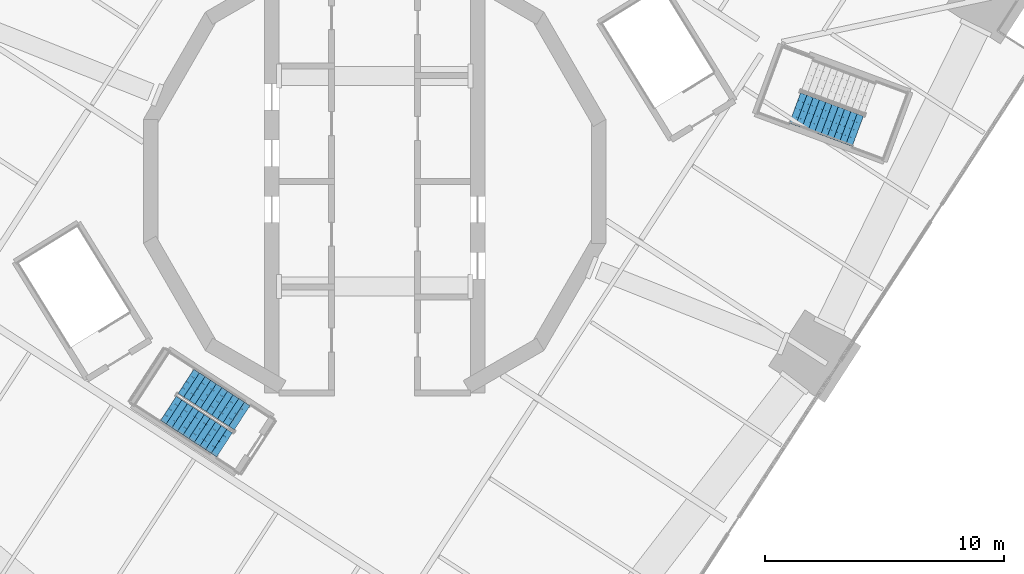
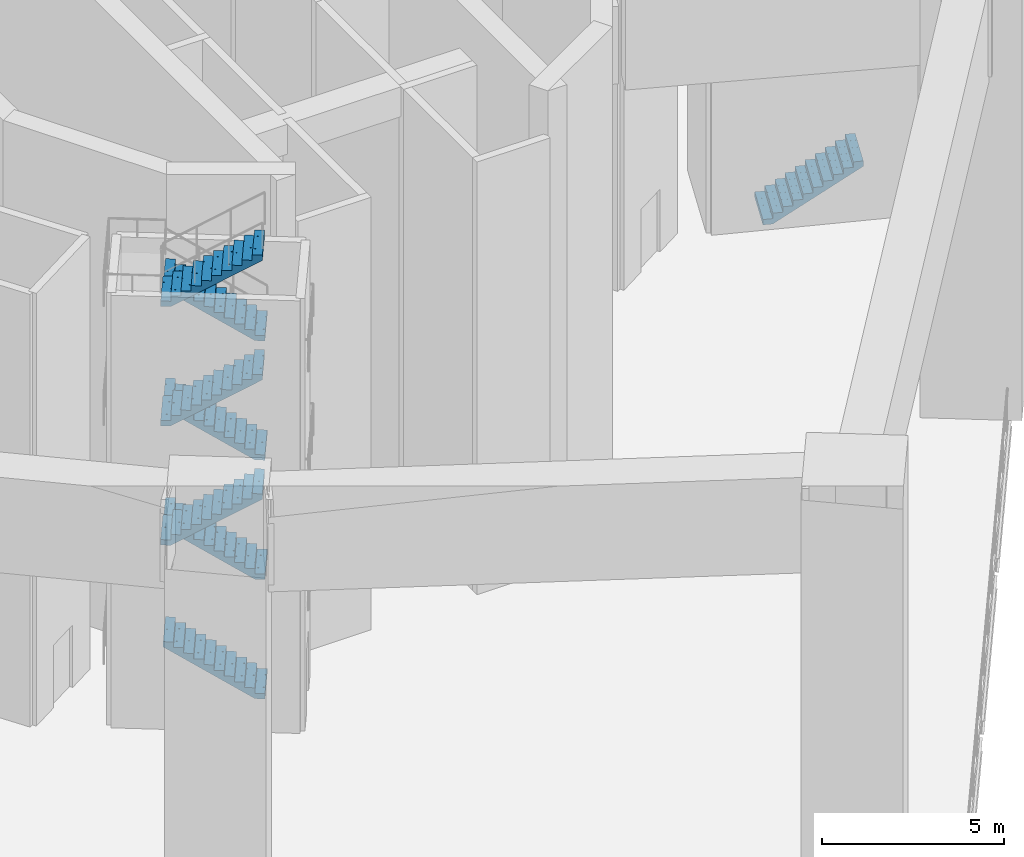
# One storey, part 6 of 16: 8 stair flights, 2 elements without a shape of their own.
"""IFC4 building model written with IfcOpenShell, lengths in metres."""

from ifc_helpers import new_model, si_unit, direction, frame, origin, place, context, subcontext, project, spatial, polyline, outline, extrude, material, type_object, element, aggregate, save


model = new_model("IFC4")

# Units and contexts
model_context = context("Model", 3, precision=1e-05, world=origin(), true_north=direction((0.0, 1.0)))
body_context = subcontext(model_context, "Body", "Model", "MODEL_VIEW")
ifc_project = project(units=[si_unit("LENGTHUNIT", "METRE"), si_unit("AREAUNIT", "SQUARE_METRE"), si_unit("VOLUMEUNIT", "CUBIC_METRE"), si_unit("PLANEANGLEUNIT", "RADIAN"), si_unit("MASSUNIT", "GRAM", prefix="KILO")], contexts=[model_context])

# Site, building, storey
site_placement = place(None, origin())
site = spatial("IfcSite", under=ifc_project, at=site_placement, CompositionType="ELEMENT")
building_placement = place(site_placement, origin())
building = spatial("IfcBuilding", under=site, at=building_placement, Name="Cantera Rosa Tower", CompositionType="ELEMENT")
storey_placement = place(building_placement, frame((0.0, 0.0, 290.10009765625)))
storey = spatial("IfcBuildingStorey", under=building, at=storey_placement, Name="L66", CompositionType="ELEMENT", Elevation=290.10009765625)

# Stair, stair flights
ifc_material_1 = material(Name="Concrete C35/45", Category="concrete")
stair_type_1 = type_object("IfcStairType", Name="EXIT STAIR 1200 DOGLEG", PredefinedType="HALF_TURN_STAIR", material=ifc_material_1)
stair_1_placement = place(storey_placement, origin())
stair_1 = element("IfcStair", 1, at=stair_1_placement, inside=storey, type_object=stair_type_1, Name="L66 ST-64", PredefinedType="HALF_TURN_STAIR")
ifc_material_2 = material(Name="Concrete C35/45", Category="concrete")
stair_flight_type_1 = type_object("IfcStairFlightType", Name="STAIR FLIGHT 1200 R88x182", PredefinedType="STRAIGHT", material=ifc_material_2)
stair_flight_1_placement = place(storey_placement, frame((-5.532470703125, -9.878173828125, 0.0), z_axis=(0.0, 0.0, 1.0), x_axis=(-0.838670567945, 0.544639035015, 0.0)))
stair_flight_1 = element("IfcStairFlight", 2, at=stair_flight_1_placement, type_object=stair_flight_type_1, Name="ST-64 flight 1", NumberOfRisers=11, NumberOfTreads=10, PredefinedType="STRAIGHT", RiserHeight=0.181818182, TreadLength=0.28, context=body_context, shape_type="SweptSolid", body=[
    extrude(outline(polyline([(0.0, 0.0), (0.0, 0.181884765625), (0.280029296875, 0.181884765625), (0.280029296875, 0.363525390625), (0.56005859375, 0.363525390625), (0.56005859375, 0.54541015625), (0.840087890625, 0.54541015625), (0.840087890625, 0.727294921875), (1.1201171875, 0.727294921875), (1.1201171875, 0.9091796875), (1.39990234375, 0.9091796875), (1.39990234375, 1.0908203125), (1.679931640625, 1.0908203125), (1.679931640625, 1.272705078125), (1.9599609375, 1.272705078125), (1.9599609375, 1.45458984375), (2.239990234375, 1.45458984375), (2.239990234375, 1.636474609375), (2.52001953125, 1.636474609375), (2.52001953125, 1.818115234375), (2.800048828125, 1.818115234375), (2.800048828125, 2.0), (2.800048828125, 1.639404296875), (0.275146484375, 0.0), (0.0, 0.0)])), frame((0.0, 0.60009765625, 0.0), z_axis=(0.0, -1.0, 0.0), x_axis=(1.0, 0.0, 0.0)), (0.0, 0.0, 1.0), 0.298583984375),
    extrude(outline(polyline([(0.0, 0.0), (0.0, 0.181884765625), (0.280029296875, 0.181884765625), (0.280029296875, 0.363525390625), (0.56005859375, 0.363525390625), (0.56005859375, 0.54541015625), (0.840087890625, 0.54541015625), (0.840087890625, 0.727294921875), (1.1201171875, 0.727294921875), (1.1201171875, 0.9091796875), (1.39990234375, 0.9091796875), (1.39990234375, 1.0908203125), (1.679931640625, 1.0908203125), (1.679931640625, 1.272705078125), (1.9599609375, 1.272705078125), (1.9599609375, 1.45458984375), (2.239990234375, 1.45458984375), (2.239990234375, 1.636474609375), (2.52001953125, 1.636474609375), (2.52001953125, 1.818115234375), (2.800048828125, 1.818115234375), (2.800048828125, 2.0), (2.800048828125, 1.639404296875), (0.275146484375, 0.0), (0.0, 0.0)])), frame((0.0, 0.29931640625, 0.0), z_axis=(0.0, -1.0, 0.0), x_axis=(1.0, 0.0, 0.0)), (0.0, 0.0, 1.0), 0.298583984375),
    extrude(outline(polyline([(0.0, 0.0), (0.0, 0.181884765625), (0.280029296875, 0.181884765625), (0.280029296875, 0.363525390625), (0.56005859375, 0.363525390625), (0.56005859375, 0.54541015625), (0.840087890625, 0.54541015625), (0.840087890625, 0.727294921875), (1.1201171875, 0.727294921875), (1.1201171875, 0.9091796875), (1.39990234375, 0.9091796875), (1.39990234375, 1.0908203125), (1.679931640625, 1.0908203125), (1.679931640625, 1.272705078125), (1.9599609375, 1.272705078125), (1.9599609375, 1.45458984375), (2.239990234375, 1.45458984375), (2.239990234375, 1.636474609375), (2.52001953125, 1.636474609375), (2.52001953125, 1.818115234375), (2.800048828125, 1.818115234375), (2.800048828125, 2.0), (2.800048828125, 1.639404296875), (0.275146484375, 0.0), (0.0, 0.0)])), frame((0.0, -0.0009765625, 0.0), z_axis=(0.0, -1.0, 0.0), x_axis=(1.0, 0.0, 0.0)), (0.0, 0.0, 1.0), 0.298583984375),
    extrude(outline(polyline([(0.0, 0.0), (0.0, 0.181884765625), (0.280029296875, 0.181884765625), (0.280029296875, 0.363525390625), (0.56005859375, 0.363525390625), (0.56005859375, 0.54541015625), (0.840087890625, 0.54541015625), (0.840087890625, 0.727294921875), (1.1201171875, 0.727294921875), (1.1201171875, 0.9091796875), (1.39990234375, 0.9091796875), (1.39990234375, 1.0908203125), (1.679931640625, 1.0908203125), (1.679931640625, 1.272705078125), (1.9599609375, 1.272705078125), (1.9599609375, 1.45458984375), (2.239990234375, 1.45458984375), (2.239990234375, 1.636474609375), (2.52001953125, 1.636474609375), (2.52001953125, 1.818115234375), (2.800048828125, 1.818115234375), (2.800048828125, 2.0), (2.800048828125, 1.639404296875), (0.275146484375, 0.0), (0.0, 0.0)])), frame((0.0, -0.3017578125, 0.0), z_axis=(0.0, -1.0, 0.0), x_axis=(1.0, 0.0, 0.0)), (0.0, 0.0, 1.0), 0.298583984375),
])
stair_flight_2_placement = place(storey_placement, frame((-5.532470703125, -9.878173828125, 4.0), z_axis=(0.0, 0.0, 1.0), x_axis=(-0.838670567945, 0.544639035015, 0.0)))
stair_flight_2 = element("IfcStairFlight", 3, at=stair_flight_2_placement, type_object=stair_flight_type_1, Name="ST-64 flight 3", NumberOfRisers=11, NumberOfTreads=10, PredefinedType="STRAIGHT", RiserHeight=0.181818182, TreadLength=0.28, context=body_context, shape_type="SweptSolid", body=[
    extrude(outline(polyline([(0.0, 0.0), (0.0, 0.181884765625), (0.280029296875, 0.181884765625), (0.280029296875, 0.363525390625), (0.56005859375, 0.363525390625), (0.56005859375, 0.54541015625), (0.840087890625, 0.54541015625), (0.840087890625, 0.727294921875), (1.1201171875, 0.727294921875), (1.1201171875, 0.9091796875), (1.39990234375, 0.9091796875), (1.39990234375, 1.0908203125), (1.679931640625, 1.0908203125), (1.679931640625, 1.272705078125), (1.9599609375, 1.272705078125), (1.9599609375, 1.45458984375), (2.239990234375, 1.45458984375), (2.239990234375, 1.636474609375), (2.52001953125, 1.636474609375), (2.52001953125, 1.818115234375), (2.800048828125, 1.818115234375), (2.800048828125, 2.0), (2.800048828125, 1.639404296875), (0.275146484375, 0.0), (0.0, 0.0)])), frame((0.0, 0.60009765625, 0.0), z_axis=(0.0, -1.0, 0.0), x_axis=(1.0, 0.0, 0.0)), (0.0, 0.0, 1.0), 0.298583984375),
    extrude(outline(polyline([(0.0, 0.0), (0.0, 0.181884765625), (0.280029296875, 0.181884765625), (0.280029296875, 0.363525390625), (0.56005859375, 0.363525390625), (0.56005859375, 0.54541015625), (0.840087890625, 0.54541015625), (0.840087890625, 0.727294921875), (1.1201171875, 0.727294921875), (1.1201171875, 0.9091796875), (1.39990234375, 0.9091796875), (1.39990234375, 1.0908203125), (1.679931640625, 1.0908203125), (1.679931640625, 1.272705078125), (1.9599609375, 1.272705078125), (1.9599609375, 1.45458984375), (2.239990234375, 1.45458984375), (2.239990234375, 1.636474609375), (2.52001953125, 1.636474609375), (2.52001953125, 1.818115234375), (2.800048828125, 1.818115234375), (2.800048828125, 2.0), (2.800048828125, 1.639404296875), (0.275146484375, 0.0), (0.0, 0.0)])), frame((0.0, 0.29931640625, 0.0), z_axis=(0.0, -1.0, 0.0), x_axis=(1.0, 0.0, 0.0)), (0.0, 0.0, 1.0), 0.298583984375),
    extrude(outline(polyline([(0.0, 0.0), (0.0, 0.181884765625), (0.280029296875, 0.181884765625), (0.280029296875, 0.363525390625), (0.56005859375, 0.363525390625), (0.56005859375, 0.54541015625), (0.840087890625, 0.54541015625), (0.840087890625, 0.727294921875), (1.1201171875, 0.727294921875), (1.1201171875, 0.9091796875), (1.39990234375, 0.9091796875), (1.39990234375, 1.0908203125), (1.679931640625, 1.0908203125), (1.679931640625, 1.272705078125), (1.9599609375, 1.272705078125), (1.9599609375, 1.45458984375), (2.239990234375, 1.45458984375), (2.239990234375, 1.636474609375), (2.52001953125, 1.636474609375), (2.52001953125, 1.818115234375), (2.800048828125, 1.818115234375), (2.800048828125, 2.0), (2.800048828125, 1.639404296875), (0.275146484375, 0.0), (0.0, 0.0)])), frame((0.0, -0.0009765625, 0.0), z_axis=(0.0, -1.0, 0.0), x_axis=(1.0, 0.0, 0.0)), (0.0, 0.0, 1.0), 0.298583984375),
    extrude(outline(polyline([(0.0, 0.0), (0.0, 0.181884765625), (0.280029296875, 0.181884765625), (0.280029296875, 0.363525390625), (0.56005859375, 0.363525390625), (0.56005859375, 0.54541015625), (0.840087890625, 0.54541015625), (0.840087890625, 0.727294921875), (1.1201171875, 0.727294921875), (1.1201171875, 0.9091796875), (1.39990234375, 0.9091796875), (1.39990234375, 1.0908203125), (1.679931640625, 1.0908203125), (1.679931640625, 1.272705078125), (1.9599609375, 1.272705078125), (1.9599609375, 1.45458984375), (2.239990234375, 1.45458984375), (2.239990234375, 1.636474609375), (2.52001953125, 1.636474609375), (2.52001953125, 1.818115234375), (2.800048828125, 1.818115234375), (2.800048828125, 2.0), (2.800048828125, 1.639404296875), (0.275146484375, 0.0), (0.0, 0.0)])), frame((0.0, -0.3017578125, 0.0), z_axis=(0.0, -1.0, 0.0), x_axis=(1.0, 0.0, 0.0)), (0.0, 0.0, 1.0), 0.298583984375),
])
stair_flight_3_placement = place(storey_placement, frame((-8.615966796875, -9.4853515625, 6.0), z_axis=(0.0, 0.0, 1.0), x_axis=(0.838670567945, -0.544639035015, 0.0)))
stair_flight_3 = element("IfcStairFlight", 4, at=stair_flight_3_placement, type_object=stair_flight_type_1, Name="ST-64 flight 4", NumberOfRisers=11, NumberOfTreads=10, PredefinedType="STRAIGHT", RiserHeight=0.181818182, TreadLength=0.28, context=body_context, shape_type="SweptSolid", body=[
    extrude(outline(polyline([(0.0, 0.0), (0.0, 0.181884765625), (0.280029296875, 0.181884765625), (0.280029296875, 0.363525390625), (0.56005859375, 0.363525390625), (0.56005859375, 0.54541015625), (0.840087890625, 0.54541015625), (0.840087890625, 0.727294921875), (1.1201171875, 0.727294921875), (1.1201171875, 0.9091796875), (1.39990234375, 0.9091796875), (1.39990234375, 1.0908203125), (1.679931640625, 1.0908203125), (1.679931640625, 1.272705078125), (1.9599609375, 1.272705078125), (1.9599609375, 1.45458984375), (2.239990234375, 1.45458984375), (2.239990234375, 1.636474609375), (2.52001953125, 1.636474609375), (2.52001953125, 1.818115234375), (2.800048828125, 1.818115234375), (2.800048828125, 2.0), (2.800048828125, 1.639404296875), (0.275146484375, 0.0), (0.0, 0.0)])), frame((0.0, 0.60009765625, 0.0), z_axis=(0.0, -1.0, 0.0), x_axis=(1.0, 0.0, 0.0)), (0.0, 0.0, 1.0), 0.298583984375),
    extrude(outline(polyline([(0.0, 0.0), (0.0, 0.181884765625), (0.280029296875, 0.181884765625), (0.280029296875, 0.363525390625), (0.56005859375, 0.363525390625), (0.56005859375, 0.54541015625), (0.840087890625, 0.54541015625), (0.840087890625, 0.727294921875), (1.1201171875, 0.727294921875), (1.1201171875, 0.9091796875), (1.39990234375, 0.9091796875), (1.39990234375, 1.0908203125), (1.679931640625, 1.0908203125), (1.679931640625, 1.272705078125), (1.9599609375, 1.272705078125), (1.9599609375, 1.45458984375), (2.239990234375, 1.45458984375), (2.239990234375, 1.636474609375), (2.52001953125, 1.636474609375), (2.52001953125, 1.818115234375), (2.800048828125, 1.818115234375), (2.800048828125, 2.0), (2.800048828125, 1.639404296875), (0.275146484375, 0.0), (0.0, 0.0)])), frame((0.0, 0.29931640625, 0.0), z_axis=(0.0, -1.0, 0.0), x_axis=(1.0, 0.0, 0.0)), (0.0, 0.0, 1.0), 0.298583984375),
    extrude(outline(polyline([(0.0, 0.0), (0.0, 0.181884765625), (0.280029296875, 0.181884765625), (0.280029296875, 0.363525390625), (0.56005859375, 0.363525390625), (0.56005859375, 0.54541015625), (0.840087890625, 0.54541015625), (0.840087890625, 0.727294921875), (1.1201171875, 0.727294921875), (1.1201171875, 0.9091796875), (1.39990234375, 0.9091796875), (1.39990234375, 1.0908203125), (1.679931640625, 1.0908203125), (1.679931640625, 1.272705078125), (1.9599609375, 1.272705078125), (1.9599609375, 1.45458984375), (2.239990234375, 1.45458984375), (2.239990234375, 1.636474609375), (2.52001953125, 1.636474609375), (2.52001953125, 1.818115234375), (2.800048828125, 1.818115234375), (2.800048828125, 2.0), (2.800048828125, 1.639404296875), (0.275146484375, 0.0), (0.0, 0.0)])), frame((0.0, -0.0009765625, 0.0), z_axis=(0.0, -1.0, 0.0), x_axis=(1.0, 0.0, 0.0)), (0.0, 0.0, 1.0), 0.298583984375),
    extrude(outline(polyline([(0.0, 0.0), (0.0, 0.181884765625), (0.280029296875, 0.181884765625), (0.280029296875, 0.363525390625), (0.56005859375, 0.363525390625), (0.56005859375, 0.54541015625), (0.840087890625, 0.54541015625), (0.840087890625, 0.727294921875), (1.1201171875, 0.727294921875), (1.1201171875, 0.9091796875), (1.39990234375, 0.9091796875), (1.39990234375, 1.0908203125), (1.679931640625, 1.0908203125), (1.679931640625, 1.272705078125), (1.9599609375, 1.272705078125), (1.9599609375, 1.45458984375), (2.239990234375, 1.45458984375), (2.239990234375, 1.636474609375), (2.52001953125, 1.636474609375), (2.52001953125, 1.818115234375), (2.800048828125, 1.818115234375), (2.800048828125, 2.0), (2.800048828125, 1.639404296875), (0.275146484375, 0.0), (0.0, 0.0)])), frame((0.0, -0.3017578125, 0.0), z_axis=(0.0, -1.0, 0.0), x_axis=(1.0, 0.0, 0.0)), (0.0, 0.0, 1.0), 0.298583984375),
])
stair_flight_4_placement = place(storey_placement, frame((-5.532470703125, -9.878173828125, 8.0), z_axis=(0.0, 0.0, 1.0), x_axis=(-0.838670567945, 0.544639035015, 0.0)))
stair_flight_4 = element("IfcStairFlight", 5, at=stair_flight_4_placement, type_object=stair_flight_type_1, Name="ST-64 flight 5", NumberOfRisers=11, NumberOfTreads=10, PredefinedType="STRAIGHT", RiserHeight=0.181818182, TreadLength=0.28, context=body_context, shape_type="SweptSolid", body=[
    extrude(outline(polyline([(0.0, 0.0), (0.0, 0.181884765625), (0.280029296875, 0.181884765625), (0.280029296875, 0.363525390625), (0.56005859375, 0.363525390625), (0.56005859375, 0.54541015625), (0.840087890625, 0.54541015625), (0.840087890625, 0.727294921875), (1.1201171875, 0.727294921875), (1.1201171875, 0.9091796875), (1.39990234375, 0.9091796875), (1.39990234375, 1.0908203125), (1.679931640625, 1.0908203125), (1.679931640625, 1.272705078125), (1.9599609375, 1.272705078125), (1.9599609375, 1.45458984375), (2.239990234375, 1.45458984375), (2.239990234375, 1.636474609375), (2.52001953125, 1.636474609375), (2.52001953125, 1.818115234375), (2.800048828125, 1.818115234375), (2.800048828125, 2.0), (2.800048828125, 1.639404296875), (0.275146484375, 0.0), (0.0, 0.0)])), frame((0.0, 0.60009765625, 0.0), z_axis=(0.0, -1.0, 0.0), x_axis=(1.0, 0.0, 0.0)), (0.0, 0.0, 1.0), 0.298583984375),
    extrude(outline(polyline([(0.0, 0.0), (0.0, 0.181884765625), (0.280029296875, 0.181884765625), (0.280029296875, 0.363525390625), (0.56005859375, 0.363525390625), (0.56005859375, 0.54541015625), (0.840087890625, 0.54541015625), (0.840087890625, 0.727294921875), (1.1201171875, 0.727294921875), (1.1201171875, 0.9091796875), (1.39990234375, 0.9091796875), (1.39990234375, 1.0908203125), (1.679931640625, 1.0908203125), (1.679931640625, 1.272705078125), (1.9599609375, 1.272705078125), (1.9599609375, 1.45458984375), (2.239990234375, 1.45458984375), (2.239990234375, 1.636474609375), (2.52001953125, 1.636474609375), (2.52001953125, 1.818115234375), (2.800048828125, 1.818115234375), (2.800048828125, 2.0), (2.800048828125, 1.639404296875), (0.275146484375, 0.0), (0.0, 0.0)])), frame((0.0, 0.29931640625, 0.0), z_axis=(0.0, -1.0, 0.0), x_axis=(1.0, 0.0, 0.0)), (0.0, 0.0, 1.0), 0.298583984375),
    extrude(outline(polyline([(0.0, 0.0), (0.0, 0.181884765625), (0.280029296875, 0.181884765625), (0.280029296875, 0.363525390625), (0.56005859375, 0.363525390625), (0.56005859375, 0.54541015625), (0.840087890625, 0.54541015625), (0.840087890625, 0.727294921875), (1.1201171875, 0.727294921875), (1.1201171875, 0.9091796875), (1.39990234375, 0.9091796875), (1.39990234375, 1.0908203125), (1.679931640625, 1.0908203125), (1.679931640625, 1.272705078125), (1.9599609375, 1.272705078125), (1.9599609375, 1.45458984375), (2.239990234375, 1.45458984375), (2.239990234375, 1.636474609375), (2.52001953125, 1.636474609375), (2.52001953125, 1.818115234375), (2.800048828125, 1.818115234375), (2.800048828125, 2.0), (2.800048828125, 1.639404296875), (0.275146484375, 0.0), (0.0, 0.0)])), frame((0.0, -0.0009765625, 0.0), z_axis=(0.0, -1.0, 0.0), x_axis=(1.0, 0.0, 0.0)), (0.0, 0.0, 1.0), 0.298583984375),
    extrude(outline(polyline([(0.0, 0.0), (0.0, 0.181884765625), (0.280029296875, 0.181884765625), (0.280029296875, 0.363525390625), (0.56005859375, 0.363525390625), (0.56005859375, 0.54541015625), (0.840087890625, 0.54541015625), (0.840087890625, 0.727294921875), (1.1201171875, 0.727294921875), (1.1201171875, 0.9091796875), (1.39990234375, 0.9091796875), (1.39990234375, 1.0908203125), (1.679931640625, 1.0908203125), (1.679931640625, 1.272705078125), (1.9599609375, 1.272705078125), (1.9599609375, 1.45458984375), (2.239990234375, 1.45458984375), (2.239990234375, 1.636474609375), (2.52001953125, 1.636474609375), (2.52001953125, 1.818115234375), (2.800048828125, 1.818115234375), (2.800048828125, 2.0), (2.800048828125, 1.639404296875), (0.275146484375, 0.0), (0.0, 0.0)])), frame((0.0, -0.3017578125, 0.0), z_axis=(0.0, -1.0, 0.0), x_axis=(1.0, 0.0, 0.0)), (0.0, 0.0, 1.0), 0.298583984375),
])
stair_flight_5_placement = place(storey_placement, frame((-8.615966796875, -9.4853515625, 10.0), z_axis=(0.0, 0.0, 1.0), x_axis=(0.838670567945, -0.544639035015, 0.0)))
stair_flight_5 = element("IfcStairFlight", 6, at=stair_flight_5_placement, type_object=stair_flight_type_1, Name="ST-64 flight 6", NumberOfRisers=11, NumberOfTreads=10, PredefinedType="STRAIGHT", RiserHeight=0.181818182, TreadLength=0.28, context=body_context, shape_type="SweptSolid", body=[
    extrude(outline(polyline([(0.0, 0.0), (0.0, 0.181884765625), (0.280029296875, 0.181884765625), (0.280029296875, 0.363525390625), (0.56005859375, 0.363525390625), (0.56005859375, 0.54541015625), (0.840087890625, 0.54541015625), (0.840087890625, 0.727294921875), (1.1201171875, 0.727294921875), (1.1201171875, 0.9091796875), (1.39990234375, 0.9091796875), (1.39990234375, 1.0908203125), (1.679931640625, 1.0908203125), (1.679931640625, 1.272705078125), (1.9599609375, 1.272705078125), (1.9599609375, 1.45458984375), (2.239990234375, 1.45458984375), (2.239990234375, 1.636474609375), (2.52001953125, 1.636474609375), (2.52001953125, 1.818115234375), (2.800048828125, 1.818115234375), (2.800048828125, 2.0), (2.800048828125, 1.639404296875), (0.275146484375, 0.0), (0.0, 0.0)])), frame((0.0, 0.60009765625, 0.0), z_axis=(0.0, -1.0, 0.0), x_axis=(1.0, 0.0, 0.0)), (0.0, 0.0, 1.0), 0.298583984375),
    extrude(outline(polyline([(0.0, 0.0), (0.0, 0.181884765625), (0.280029296875, 0.181884765625), (0.280029296875, 0.363525390625), (0.56005859375, 0.363525390625), (0.56005859375, 0.54541015625), (0.840087890625, 0.54541015625), (0.840087890625, 0.727294921875), (1.1201171875, 0.727294921875), (1.1201171875, 0.9091796875), (1.39990234375, 0.9091796875), (1.39990234375, 1.0908203125), (1.679931640625, 1.0908203125), (1.679931640625, 1.272705078125), (1.9599609375, 1.272705078125), (1.9599609375, 1.45458984375), (2.239990234375, 1.45458984375), (2.239990234375, 1.636474609375), (2.52001953125, 1.636474609375), (2.52001953125, 1.818115234375), (2.800048828125, 1.818115234375), (2.800048828125, 2.0), (2.800048828125, 1.639404296875), (0.275146484375, 0.0), (0.0, 0.0)])), frame((0.0, 0.29931640625, 0.0), z_axis=(0.0, -1.0, 0.0), x_axis=(1.0, 0.0, 0.0)), (0.0, 0.0, 1.0), 0.298583984375),
    extrude(outline(polyline([(0.0, 0.0), (0.0, 0.181884765625), (0.280029296875, 0.181884765625), (0.280029296875, 0.363525390625), (0.56005859375, 0.363525390625), (0.56005859375, 0.54541015625), (0.840087890625, 0.54541015625), (0.840087890625, 0.727294921875), (1.1201171875, 0.727294921875), (1.1201171875, 0.9091796875), (1.39990234375, 0.9091796875), (1.39990234375, 1.0908203125), (1.679931640625, 1.0908203125), (1.679931640625, 1.272705078125), (1.9599609375, 1.272705078125), (1.9599609375, 1.45458984375), (2.239990234375, 1.45458984375), (2.239990234375, 1.636474609375), (2.52001953125, 1.636474609375), (2.52001953125, 1.818115234375), (2.800048828125, 1.818115234375), (2.800048828125, 2.0), (2.800048828125, 1.639404296875), (0.275146484375, 0.0), (0.0, 0.0)])), frame((0.0, -0.0009765625, 0.0), z_axis=(0.0, -1.0, 0.0), x_axis=(1.0, 0.0, 0.0)), (0.0, 0.0, 1.0), 0.298583984375),
    extrude(outline(polyline([(0.0, 0.0), (0.0, 0.181884765625), (0.280029296875, 0.181884765625), (0.280029296875, 0.363525390625), (0.56005859375, 0.363525390625), (0.56005859375, 0.54541015625), (0.840087890625, 0.54541015625), (0.840087890625, 0.727294921875), (1.1201171875, 0.727294921875), (1.1201171875, 0.9091796875), (1.39990234375, 0.9091796875), (1.39990234375, 1.0908203125), (1.679931640625, 1.0908203125), (1.679931640625, 1.272705078125), (1.9599609375, 1.272705078125), (1.9599609375, 1.45458984375), (2.239990234375, 1.45458984375), (2.239990234375, 1.636474609375), (2.52001953125, 1.636474609375), (2.52001953125, 1.818115234375), (2.800048828125, 1.818115234375), (2.800048828125, 2.0), (2.800048828125, 1.639404296875), (0.275146484375, 0.0), (0.0, 0.0)])), frame((0.0, -0.3017578125, 0.0), z_axis=(0.0, -1.0, 0.0), x_axis=(1.0, 0.0, 0.0)), (0.0, 0.0, 1.0), 0.298583984375),
])
stair_flight_6_placement = place(storey_placement, frame((-5.532470703125, -9.878173828125, 12.0), z_axis=(0.0, 0.0, 1.0), x_axis=(-0.838670567945, 0.544639035015, 0.0)))
stair_flight_6 = element("IfcStairFlight", 7, at=stair_flight_6_placement, type_object=stair_flight_type_1, Name="ST-64 flight 7", NumberOfRisers=11, NumberOfTreads=10, PredefinedType="STRAIGHT", RiserHeight=0.181818182, TreadLength=0.28, context=body_context, shape_type="SweptSolid", body=[
    extrude(outline(polyline([(0.0, 0.0), (0.0, 0.181884765625), (0.280029296875, 0.181884765625), (0.280029296875, 0.363525390625), (0.56005859375, 0.363525390625), (0.56005859375, 0.54541015625), (0.840087890625, 0.54541015625), (0.840087890625, 0.727294921875), (1.1201171875, 0.727294921875), (1.1201171875, 0.9091796875), (1.39990234375, 0.9091796875), (1.39990234375, 1.0908203125), (1.679931640625, 1.0908203125), (1.679931640625, 1.272705078125), (1.9599609375, 1.272705078125), (1.9599609375, 1.45458984375), (2.239990234375, 1.45458984375), (2.239990234375, 1.636474609375), (2.52001953125, 1.636474609375), (2.52001953125, 1.818115234375), (2.800048828125, 1.818115234375), (2.800048828125, 2.0), (2.800048828125, 1.639404296875), (0.275146484375, 0.0), (0.0, 0.0)])), frame((0.0, 0.60009765625, 0.0), z_axis=(0.0, -1.0, 0.0), x_axis=(1.0, 0.0, 0.0)), (0.0, 0.0, 1.0), 0.298583984375),
    extrude(outline(polyline([(0.0, 0.0), (0.0, 0.181884765625), (0.280029296875, 0.181884765625), (0.280029296875, 0.363525390625), (0.56005859375, 0.363525390625), (0.56005859375, 0.54541015625), (0.840087890625, 0.54541015625), (0.840087890625, 0.727294921875), (1.1201171875, 0.727294921875), (1.1201171875, 0.9091796875), (1.39990234375, 0.9091796875), (1.39990234375, 1.0908203125), (1.679931640625, 1.0908203125), (1.679931640625, 1.272705078125), (1.9599609375, 1.272705078125), (1.9599609375, 1.45458984375), (2.239990234375, 1.45458984375), (2.239990234375, 1.636474609375), (2.52001953125, 1.636474609375), (2.52001953125, 1.818115234375), (2.800048828125, 1.818115234375), (2.800048828125, 2.0), (2.800048828125, 1.639404296875), (0.275146484375, 0.0), (0.0, 0.0)])), frame((0.0, 0.29931640625, 0.0), z_axis=(0.0, -1.0, 0.0), x_axis=(1.0, 0.0, 0.0)), (0.0, 0.0, 1.0), 0.298583984375),
    extrude(outline(polyline([(0.0, 0.0), (0.0, 0.181884765625), (0.280029296875, 0.181884765625), (0.280029296875, 0.363525390625), (0.56005859375, 0.363525390625), (0.56005859375, 0.54541015625), (0.840087890625, 0.54541015625), (0.840087890625, 0.727294921875), (1.1201171875, 0.727294921875), (1.1201171875, 0.9091796875), (1.39990234375, 0.9091796875), (1.39990234375, 1.0908203125), (1.679931640625, 1.0908203125), (1.679931640625, 1.272705078125), (1.9599609375, 1.272705078125), (1.9599609375, 1.45458984375), (2.239990234375, 1.45458984375), (2.239990234375, 1.636474609375), (2.52001953125, 1.636474609375), (2.52001953125, 1.818115234375), (2.800048828125, 1.818115234375), (2.800048828125, 2.0), (2.800048828125, 1.639404296875), (0.275146484375, 0.0), (0.0, 0.0)])), frame((0.0, -0.0009765625, 0.0), z_axis=(0.0, -1.0, 0.0), x_axis=(1.0, 0.0, 0.0)), (0.0, 0.0, 1.0), 0.298583984375),
    extrude(outline(polyline([(0.0, 0.0), (0.0, 0.181884765625), (0.280029296875, 0.181884765625), (0.280029296875, 0.363525390625), (0.56005859375, 0.363525390625), (0.56005859375, 0.54541015625), (0.840087890625, 0.54541015625), (0.840087890625, 0.727294921875), (1.1201171875, 0.727294921875), (1.1201171875, 0.9091796875), (1.39990234375, 0.9091796875), (1.39990234375, 1.0908203125), (1.679931640625, 1.0908203125), (1.679931640625, 1.272705078125), (1.9599609375, 1.272705078125), (1.9599609375, 1.45458984375), (2.239990234375, 1.45458984375), (2.239990234375, 1.636474609375), (2.52001953125, 1.636474609375), (2.52001953125, 1.818115234375), (2.800048828125, 1.818115234375), (2.800048828125, 2.0), (2.800048828125, 1.639404296875), (0.275146484375, 0.0), (0.0, 0.0)])), frame((0.0, -0.3017578125, 0.0), z_axis=(0.0, -1.0, 0.0), x_axis=(1.0, 0.0, 0.0)), (0.0, 0.0, 1.0), 0.298583984375),
])
stair_flight_7_placement = place(storey_placement, frame((-8.615966796875, -9.4853515625, 14.0), z_axis=(0.0, 0.0, 1.0), x_axis=(0.838670567945, -0.544639035015, 0.0)))
stair_flight_7 = element("IfcStairFlight", 8, at=stair_flight_7_placement, type_object=stair_flight_type_1, Name="ST-64 flight 8", NumberOfRisers=11, NumberOfTreads=10, PredefinedType="STRAIGHT", RiserHeight=0.181818182, TreadLength=0.28, context=body_context, shape_type="SweptSolid", body=[
    extrude(outline(polyline([(0.0, 0.0), (0.0, 0.181884765625), (0.280029296875, 0.181884765625), (0.280029296875, 0.363525390625), (0.56005859375, 0.363525390625), (0.56005859375, 0.54541015625), (0.840087890625, 0.54541015625), (0.840087890625, 0.727294921875), (1.1201171875, 0.727294921875), (1.1201171875, 0.9091796875), (1.39990234375, 0.9091796875), (1.39990234375, 1.0908203125), (1.679931640625, 1.0908203125), (1.679931640625, 1.272705078125), (1.9599609375, 1.272705078125), (1.9599609375, 1.45458984375), (2.239990234375, 1.45458984375), (2.239990234375, 1.636474609375), (2.52001953125, 1.636474609375), (2.52001953125, 1.818115234375), (2.800048828125, 1.818115234375), (2.800048828125, 2.0), (2.800048828125, 1.639404296875), (0.275146484375, 0.0), (0.0, 0.0)])), frame((0.0, 0.60009765625, 0.0), z_axis=(0.0, -1.0, 0.0), x_axis=(1.0, 0.0, 0.0)), (0.0, 0.0, 1.0), 0.298583984375),
    extrude(outline(polyline([(0.0, 0.0), (0.0, 0.181884765625), (0.280029296875, 0.181884765625), (0.280029296875, 0.363525390625), (0.56005859375, 0.363525390625), (0.56005859375, 0.54541015625), (0.840087890625, 0.54541015625), (0.840087890625, 0.727294921875), (1.1201171875, 0.727294921875), (1.1201171875, 0.9091796875), (1.39990234375, 0.9091796875), (1.39990234375, 1.0908203125), (1.679931640625, 1.0908203125), (1.679931640625, 1.272705078125), (1.9599609375, 1.272705078125), (1.9599609375, 1.45458984375), (2.239990234375, 1.45458984375), (2.239990234375, 1.636474609375), (2.52001953125, 1.636474609375), (2.52001953125, 1.818115234375), (2.800048828125, 1.818115234375), (2.800048828125, 2.0), (2.800048828125, 1.639404296875), (0.275146484375, 0.0), (0.0, 0.0)])), frame((0.0, 0.29931640625, 0.0), z_axis=(0.0, -1.0, 0.0), x_axis=(1.0, 0.0, 0.0)), (0.0, 0.0, 1.0), 0.298583984375),
    extrude(outline(polyline([(0.0, 0.0), (0.0, 0.181884765625), (0.280029296875, 0.181884765625), (0.280029296875, 0.363525390625), (0.56005859375, 0.363525390625), (0.56005859375, 0.54541015625), (0.840087890625, 0.54541015625), (0.840087890625, 0.727294921875), (1.1201171875, 0.727294921875), (1.1201171875, 0.9091796875), (1.39990234375, 0.9091796875), (1.39990234375, 1.0908203125), (1.679931640625, 1.0908203125), (1.679931640625, 1.272705078125), (1.9599609375, 1.272705078125), (1.9599609375, 1.45458984375), (2.239990234375, 1.45458984375), (2.239990234375, 1.636474609375), (2.52001953125, 1.636474609375), (2.52001953125, 1.818115234375), (2.800048828125, 1.818115234375), (2.800048828125, 2.0), (2.800048828125, 1.639404296875), (0.275146484375, 0.0), (0.0, 0.0)])), frame((0.0, -0.0009765625, 0.0), z_axis=(0.0, -1.0, 0.0), x_axis=(1.0, 0.0, 0.0)), (0.0, 0.0, 1.0), 0.298583984375),
    extrude(outline(polyline([(0.0, 0.0), (0.0, 0.181884765625), (0.280029296875, 0.181884765625), (0.280029296875, 0.363525390625), (0.56005859375, 0.363525390625), (0.56005859375, 0.54541015625), (0.840087890625, 0.54541015625), (0.840087890625, 0.727294921875), (1.1201171875, 0.727294921875), (1.1201171875, 0.9091796875), (1.39990234375, 0.9091796875), (1.39990234375, 1.0908203125), (1.679931640625, 1.0908203125), (1.679931640625, 1.272705078125), (1.9599609375, 1.272705078125), (1.9599609375, 1.45458984375), (2.239990234375, 1.45458984375), (2.239990234375, 1.636474609375), (2.52001953125, 1.636474609375), (2.52001953125, 1.818115234375), (2.800048828125, 1.818115234375), (2.800048828125, 2.0), (2.800048828125, 1.639404296875), (0.275146484375, 0.0), (0.0, 0.0)])), frame((0.0, -0.3017578125, 0.0), z_axis=(0.0, -1.0, 0.0), x_axis=(1.0, 0.0, 0.0)), (0.0, 0.0, 1.0), 0.298583984375),
])
aggregate(stair_1, [stair_flight_1, stair_flight_2, stair_flight_3, stair_flight_4, stair_flight_5, stair_flight_6, stair_flight_7])

# Stair, stair flight
ifc_material_3 = material(Name="Concrete C35/45", Category="concrete")
stair_type_2 = type_object("IfcStairType", Name="EXIT STAIR 1350 DOGLEG", PredefinedType="HALF_TURN_STAIR", material=ifc_material_3)
stair_2_placement = place(storey_placement, origin())
stair_2 = element("IfcStair", 9, at=stair_2_placement, inside=storey, type_object=stair_type_2, Name="L66 ST-61", PredefinedType="HALF_TURN_STAIR")
ifc_material_4 = material(Name="Concrete C35/45", Category="concrete")
stair_flight_type_2 = type_object("IfcStairFlightType", Name="STAIR FLIGHT 1350 R88x182", PredefinedType="STRAIGHT", material=ifc_material_4)
stair_flight_8_placement = place(storey_placement, frame((17.55908203125, 3.064453125, 0.0), z_axis=(0.0, 0.0, 1.0), x_axis=(0.937686938944, -0.347481229039, 0.0)))
stair_flight_8 = element("IfcStairFlight", 10, at=stair_flight_8_placement, type_object=stair_flight_type_2, Name="ST-61 flight 1", NumberOfRisers=11, NumberOfTreads=10, PredefinedType="STRAIGHT", RiserHeight=0.181818182, TreadLength=0.28, context=body_context, shape_type="SweptSolid", body=[
    extrude(outline(polyline([(0.0, 0.0), (0.0, 0.181884765625), (0.280029296875, 0.181884765625), (0.280029296875, 0.363525390625), (0.56005859375, 0.363525390625), (0.56005859375, 0.54541015625), (0.840087890625, 0.54541015625), (0.840087890625, 0.727294921875), (1.1201171875, 0.727294921875), (1.1201171875, 0.9091796875), (1.39990234375, 0.9091796875), (1.39990234375, 1.0908203125), (1.679931640625, 1.0908203125), (1.679931640625, 1.272705078125), (1.9599609375, 1.272705078125), (1.9599609375, 1.45458984375), (2.239990234375, 1.45458984375), (2.239990234375, 1.636474609375), (2.52001953125, 1.636474609375), (2.52001953125, 1.818115234375), (2.800048828125, 1.818115234375), (2.800048828125, 2.0), (2.800048828125, 1.639404296875), (0.275146484375, 0.0), (0.0, 0.0)])), frame((0.0, 0.675048828125, 0.0), z_axis=(0.0, -1.0, 0.0), x_axis=(1.0, 0.0, 0.0)), (0.0, 0.0, 1.0), 0.3359375),
    extrude(outline(polyline([(0.0, 0.0), (0.0, 0.181884765625), (0.280029296875, 0.181884765625), (0.280029296875, 0.363525390625), (0.56005859375, 0.363525390625), (0.56005859375, 0.54541015625), (0.840087890625, 0.54541015625), (0.840087890625, 0.727294921875), (1.1201171875, 0.727294921875), (1.1201171875, 0.9091796875), (1.39990234375, 0.9091796875), (1.39990234375, 1.0908203125), (1.679931640625, 1.0908203125), (1.679931640625, 1.272705078125), (1.9599609375, 1.272705078125), (1.9599609375, 1.45458984375), (2.239990234375, 1.45458984375), (2.239990234375, 1.636474609375), (2.52001953125, 1.636474609375), (2.52001953125, 1.818115234375), (2.800048828125, 1.818115234375), (2.800048828125, 2.0), (2.800048828125, 1.639404296875), (0.275146484375, 0.0), (0.0, 0.0)])), frame((0.0, 0.337158203125, 0.0), z_axis=(0.0, -1.0, 0.0), x_axis=(1.0, 0.0, 0.0)), (0.0, 0.0, 1.0), 0.3359375),
    extrude(outline(polyline([(0.0, 0.0), (0.0, 0.181884765625), (0.280029296875, 0.181884765625), (0.280029296875, 0.363525390625), (0.56005859375, 0.363525390625), (0.56005859375, 0.54541015625), (0.840087890625, 0.54541015625), (0.840087890625, 0.727294921875), (1.1201171875, 0.727294921875), (1.1201171875, 0.9091796875), (1.39990234375, 0.9091796875), (1.39990234375, 1.0908203125), (1.679931640625, 1.0908203125), (1.679931640625, 1.272705078125), (1.9599609375, 1.272705078125), (1.9599609375, 1.45458984375), (2.239990234375, 1.45458984375), (2.239990234375, 1.636474609375), (2.52001953125, 1.636474609375), (2.52001953125, 1.818115234375), (2.800048828125, 1.818115234375), (2.800048828125, 2.0), (2.800048828125, 1.639404296875), (0.275146484375, 0.0), (0.0, 0.0)])), frame((0.0, -0.000732421875, 0.0), z_axis=(0.0, -1.0, 0.0), x_axis=(1.0, 0.0, 0.0)), (0.0, 0.0, 1.0), 0.3359375),
    extrude(outline(polyline([(0.0, 0.0), (0.0, 0.181884765625), (0.280029296875, 0.181884765625), (0.280029296875, 0.363525390625), (0.56005859375, 0.363525390625), (0.56005859375, 0.54541015625), (0.840087890625, 0.54541015625), (0.840087890625, 0.727294921875), (1.1201171875, 0.727294921875), (1.1201171875, 0.9091796875), (1.39990234375, 0.9091796875), (1.39990234375, 1.0908203125), (1.679931640625, 1.0908203125), (1.679931640625, 1.272705078125), (1.9599609375, 1.272705078125), (1.9599609375, 1.45458984375), (2.239990234375, 1.45458984375), (2.239990234375, 1.636474609375), (2.52001953125, 1.636474609375), (2.52001953125, 1.818115234375), (2.800048828125, 1.818115234375), (2.800048828125, 2.0), (2.800048828125, 1.639404296875), (0.275146484375, 0.0), (0.0, 0.0)])), frame((0.0, -0.338623046875, 0.0), z_axis=(0.0, -1.0, 0.0), x_axis=(1.0, 0.0, 0.0)), (0.0, 0.0, 1.0), 0.3359375),
])
aggregate(stair_2, [stair_flight_8])

save(model, "model.ifc")
